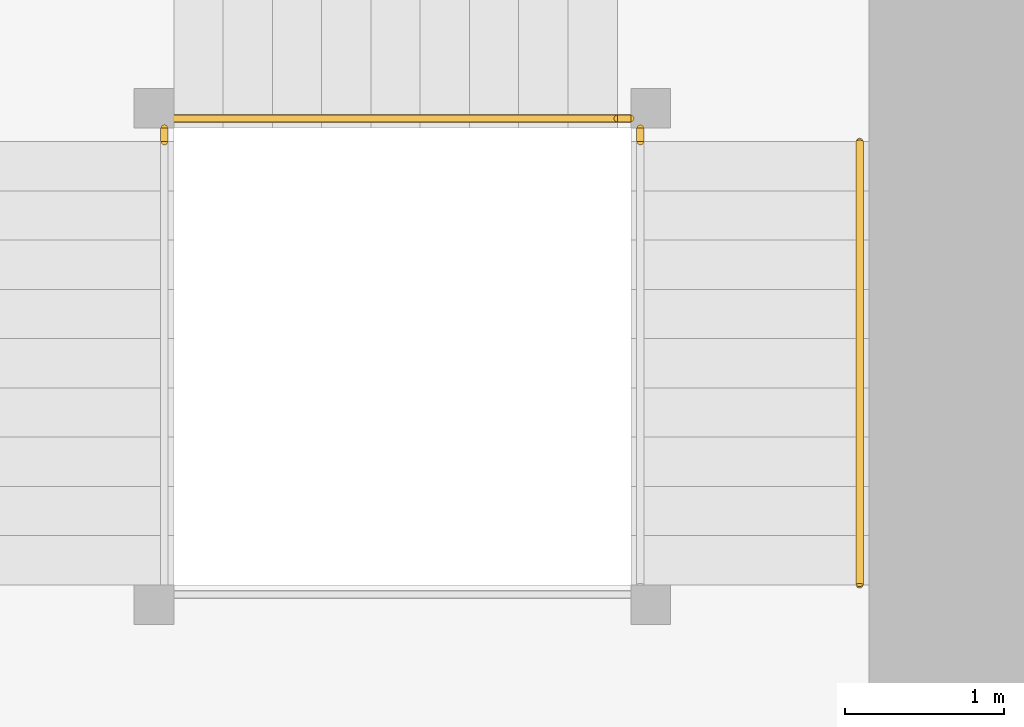
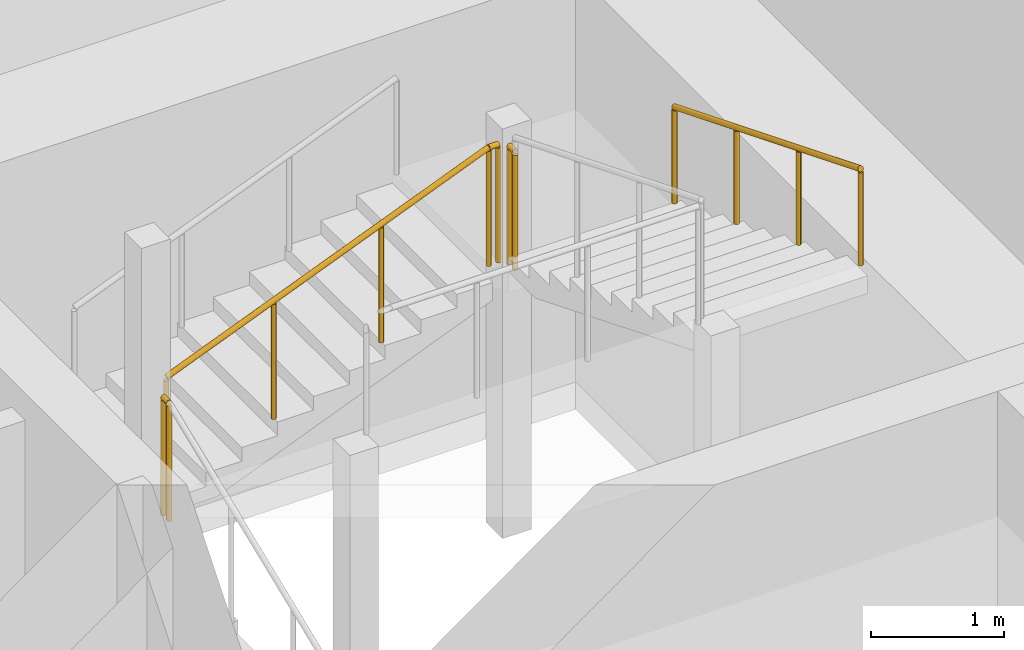
# One storey, part 39 of 40: 5 railings.
"""IFC4 building model written with IfcOpenShell, lengths in metres."""

import ifcopenshell
import ifcopenshell.guid

model = None  # the IFC model being written
_history = None  # IfcOwnerHistory: only IFC2X3 demands one
_inside = {}  # id of a spatial element -> (the spatial element, [elements in it])
_under = {}  # id of a project, library or spatial element -> (it, [spatial elements below it])
_declared = {}  # id of a project -> (the project, [libraries it declares])
_typed = {}  # id of a type object -> (the type object, [elements of that type])
_made_of = {}  # id of a material, layer set ... -> (it, [elements and type objects made of it])


def new_model(schema):
    """Start an empty IFC model of exactly this schema.

    Asked for "IFC4X3", IfcOpenShell would pick the latest addendum, in which some entities
    have other attributes; the version numbers below select the first issue.
    IFC2X3 requires an IfcOwnerHistory on every rooted entity: one is made here for all.
    """
    global model, _history
    if schema == "IFC4X3":
        model = ifcopenshell.file(schema_version=(4, 3, 0, 0))
    else:
        model = ifcopenshell.file(schema=schema)
    _inside.clear()
    _under.clear()
    _declared.clear()
    _typed.clear()
    _made_of.clear()
    _history = None
    if model.schema == "IFC2X3":
        org = make("IfcOrganization", Name="unknown")
        user = make(
            "IfcPersonAndOrganization",
            ThePerson=make("IfcPerson", FamilyName="unknown"),
            TheOrganization=org,
        )
        app = make(
            "IfcApplication",
            ApplicationDeveloper=org,
            Version="unknown",
            ApplicationFullName="unknown",
            ApplicationIdentifier="unknown",
        )
        _history = make(
            "IfcOwnerHistory",
            OwningUser=user,
            OwningApplication=app,
            ChangeAction="ADDED",
            CreationDate=0,
        )
    return model


def make(cls, **values):
    """One entity of the class cls with the attributes given. An attribute that is None is left unset."""
    return model.create_entity(
        cls, **{name: value for name, value in values.items() if value is not None}
    )


def rooted(cls, **values):
    """An entity with a GlobalId (a new one), such as an element, a storey or a relation."""
    return make(cls, GlobalId=ifcopenshell.guid.new(), OwnerHistory=_history, **values)


def si_unit(unit_type, name, prefix=None):
    """IfcSIUnit, for example si_unit("LENGTHUNIT", "METRE", prefix="MILLI")."""
    return make("IfcSIUnit", UnitType=unit_type, Prefix=prefix, Name=name)


def assignment(units):
    """IfcUnitAssignment: the units of a project."""
    return None if units is None else make("IfcUnitAssignment", Units=units)


def point(xyz):
    """IfcCartesianPoint."""
    return None if xyz is None else make("IfcCartesianPoint", Coordinates=xyz)


def direction(xyz):
    """IfcDirection."""
    return None if xyz is None else make("IfcDirection", DirectionRatios=xyz)


def frame(location, z_axis=None, x_axis=None):
    """IfcAxis2Placement3D, a coordinate frame: its origin and axes. An axis left out is left unset."""
    return make(
        "IfcAxis2Placement3D",
        Location=point(location),
        Axis=direction(z_axis),
        RefDirection=direction(x_axis),
    )


def frame_2d(location, x_axis=None):
    """IfcAxis2Placement2D, a coordinate frame in the plane: its origin and x axis."""
    return make(
        "IfcAxis2Placement2D", Location=point(location), RefDirection=direction(x_axis)
    )


def origin():
    """The frame at (0, 0, 0) with its axes left unset."""
    return frame((0.0, 0.0, 0.0))


def origin_2d():
    """The frame at (0, 0) in the plane with its x axis left unset."""
    return frame_2d((0.0, 0.0))


def place(relative_to, where):
    """IfcLocalPlacement: puts the frame where relative to a parent placement (None: the world)."""
    return make(
        "IfcLocalPlacement", PlacementRelTo=relative_to, RelativePlacement=where
    )


def context(
    kind, dimensions, precision=None, world=None, true_north=None, identifier=None
):
    """IfcGeometricRepresentationContext, for example the 3D "Model" context."""
    return make(
        "IfcGeometricRepresentationContext",
        ContextIdentifier=identifier,
        ContextType=kind,
        CoordinateSpaceDimension=dimensions,
        Precision=precision,
        WorldCoordinateSystem=world,
        TrueNorth=true_north,
    )


def subcontext(parent, identifier, kind, view, scale=None):
    """IfcGeometricRepresentationSubContext, for example "Body" below "Model"."""
    return make(
        "IfcGeometricRepresentationSubContext",
        ContextIdentifier=identifier,
        ContextType=kind,
        ParentContext=parent,
        TargetScale=scale,
        TargetView=view,
    )


def project(units=None, contexts=None):
    """IfcProject with its units and contexts."""
    return rooted(
        "IfcProject",
        Name="project",
        RepresentationContexts=contexts,
        UnitsInContext=assignment(units),
    )


def spatial(cls, under=None, at=None, **own):
    """A site, building, storey or space (cls), placed at a placement, below another one or the project."""
    s = rooted(cls, ObjectPlacement=at, **own)
    if under is not None:
        _under.setdefault(under.id(), (under, []))[1].append(s)
    return s


def profile(cls, at=None, kind="AREA", **sizes):
    """A parametric profile (cls). Its sizes go by their IFC names, for example OverallWidth=200.0."""
    return make(cls, ProfileType=kind, Position=at, **sizes)


def circle(**sizes):
    """IfcCircleProfileDef."""
    return profile("IfcCircleProfileDef", **sizes)


def extrude(swept, where, along, depth):
    """IfcExtrudedAreaSolid: the profile swept, set in the frame where, extruded along a direction by depth."""
    return make(
        "IfcExtrudedAreaSolid",
        SweptArea=swept,
        Position=where,
        ExtrudedDirection=direction(along),
        Depth=depth,
    )


def shape(context_of_items, identifier, shape_type, items):
    """IfcShapeRepresentation: the items that make up one representation, for example the "Body"."""
    return make(
        "IfcShapeRepresentation",
        ContextOfItems=context_of_items,
        RepresentationIdentifier=identifier,
        RepresentationType=shape_type,
        Items=items,
    )


def material(Name=None, Category=None):
    """IfcMaterial."""
    return make("IfcMaterial", Name=Name, Category=Category)


def made_of(thing, what):
    """Note that an element or type object is made of a material, layer set ...; save() writes the relation."""
    if what is not None:
        _made_of.setdefault(what.id(), (what, []))[1].append(thing)
    return thing


def type_object(cls, material=None, **own):
    """A type object (cls), such as IfcWallType, which elements share."""
    return made_of(rooted(cls, **own), material)


def element(
    cls,
    number,
    at=None,
    inside=None,
    cuts=None,
    type_object=None,
    material=None,
    context=None,
    identifier="Body",
    shape_type=None,
    held_by="IfcProductDefinitionShape",
    body=None,
    shapes=None,
    **own,
):
    """One element of the class cls, such as IfcWall. Its Tag is "e" and its number.

    at: its placement. inside: the storey or other place that contains it. cuts: it is an
    opening in that element (IfcRelVoidsElement). A single representation is given by context,
    identifier, shape_type and body (its items); several are given by shapes. held_by: the class
    of the entity that holds the representations. save() writes the other relations.
    """
    e = rooted(cls, Tag="e%d" % number, ObjectPlacement=at, **own)
    if body is not None:
        shapes = [shape(context, identifier, shape_type, body)]
    if shapes is not None:
        e.Representation = make(held_by, Representations=shapes)
    if inside is not None:
        _inside.setdefault(inside.id(), (inside, []))[1].append(e)
    if cuts is not None:
        rooted(
            "IfcRelVoidsElement", RelatingBuildingElement=cuts, RelatedOpeningElement=e
        )
    if type_object is not None:
        _typed.setdefault(type_object.id(), (type_object, []))[1].append(e)
    return made_of(e, material)


def aggregate(whole, parts):
    """IfcRelAggregates: a whole, such as a stair, and the parts it consists of."""
    return rooted("IfcRelAggregates", RelatingObject=whole, RelatedObjects=parts)


def save(model, path):
    """Write the relations noted so far, then the file.

    IfcRelAggregates (storeys below a building ...), IfcRelContainedInSpatialStructure (elements
    in a storey), IfcRelDefinesByType, IfcRelAssociatesMaterial and IfcRelDeclares: one each for
    every whole, place, type object, material and project.
    """
    for whole, parts in _under.values():
        aggregate(whole, parts)
    for where, things in _inside.values():
        rooted(
            "IfcRelContainedInSpatialStructure",
            RelatedElements=things,
            RelatingStructure=where,
        )
    for kind, things in _typed.values():
        rooted("IfcRelDefinesByType", RelatedObjects=things, RelatingType=kind)
    for what, things in _made_of.values():
        rooted("IfcRelAssociatesMaterial", RelatedObjects=things, RelatingMaterial=what)
    for by, libraries in _declared.values():
        rooted("IfcRelDeclares", RelatingContext=by, RelatedDefinitions=libraries)
    model.write(path)


model = new_model("IFC4")

# Units and contexts
model_context = context("Model", 3, precision=1e-05, world=origin(), true_north=direction((0.0, 1.0)))
body_context = subcontext(model_context, "Body", "Model", "MODEL_VIEW")
ifc_project = project(units=[si_unit("LENGTHUNIT", "METRE"), si_unit("AREAUNIT", "SQUARE_METRE"), si_unit("VOLUMEUNIT", "CUBIC_METRE"), si_unit("PLANEANGLEUNIT", "RADIAN"), si_unit("MASSUNIT", "GRAM", prefix="KILO")], contexts=[model_context])

# Site, building, storey
site_placement = place(None, origin())
site = spatial("IfcSite", under=ifc_project, at=site_placement, CompositionType="ELEMENT")
building_placement = place(site_placement, origin())
building = spatial("IfcBuilding", under=site, at=building_placement, Name="Rekha Terrace Tower", CompositionType="ELEMENT")
storey_placement = place(building_placement, frame((0.0, 0.0, 95.300048828125)))
storey = spatial("IfcBuildingStorey", under=building, at=storey_placement, Name="L23", CompositionType="ELEMENT", Elevation=95.300048828125)

# Railings
ifc_material_1 = material(Name="Stainless steel balustrade", Category="steel")
railing_type_1 = type_object("IfcRailingType", Name="GR1 1100 stair guard", PredefinedType="GUARDRAIL", material=ifc_material_1)
railing_1_placement = place(storey_placement, frame((45.52490234375, 44.260009765625, 1.375)))
element("IfcRailing", 1, at=railing_1_placement, inside=storey, type_object=railing_type_1, Name="Guard ST2 L23 flight 2", PredefinedType="GUARDRAIL", context=body_context, shape_type="SweptSolid", body=[
    extrude(circle(Radius=0.02392578125, at=origin_2d()), frame((0.0, 0.0, 1.076171875), z_axis=(0.927443287984, 0.0, 0.373963831907), x_axis=(0.0, 1.0, 0.0)), (0.0, 0.0, 1.0), 3.00830078125),
    extrude(circle(Radius=0.02099609375, at=origin_2d()), origin(), (0.0, 0.0, 1.0), 1.052001953125),
    extrude(circle(Radius=0.02099609375, at=origin_2d()), frame((0.929931640625, 0.0, 0.375)), (0.0, 0.0, 1.0), 1.052001953125),
    extrude(circle(Radius=0.02099609375, at=origin_2d()), frame((1.860107421875, 0.0, 0.75)), (0.0, 0.0, 1.0), 1.052001953125),
    extrude(circle(Radius=0.02099609375, at=origin_2d()), frame((2.7900390625, 0.0, 1.125)), (0.0, 0.0, 1.0), 1.052001953125),
])
railing_2_placement = place(storey_placement, frame((45.465087890625, 44.114990234375, 1.25)))
element("IfcRailing", 2, at=railing_2_placement, inside=storey, type_object=railing_type_1, Name="Guard ST2 L23 landing 1", PredefinedType="GUARDRAIL", context=body_context, shape_type="SweptSolid", body=[
    extrude(circle(Radius=0.02392578125, at=origin_2d()), frame((0.0, 0.0, 1.076171875), z_axis=(0.0, 1.0, 0.0), x_axis=(-1.0, 0.0, 0.0)), (0.0, 0.0, 1.0), 0.0849609375),
    extrude(circle(Radius=0.02099609375, at=origin_2d()), origin(), (0.0, 0.0, 1.0), 1.052001953125),
    extrude(circle(Radius=0.02099609375, at=origin_2d()), frame((0.0, 0.0849609375, 0.0)), (0.0, 0.0, 1.0), 1.052001953125),
])
railing_3_placement = place(storey_placement, frame((48.31494140625, 44.260009765625, 2.5)))
element("IfcRailing", 3, at=railing_3_placement, inside=storey, type_object=railing_type_1, Name="Guard ST2 L23 landing 2", PredefinedType="GUARDRAIL", context=body_context, shape_type="SweptSolid", body=[
    extrude(circle(Radius=0.02392578125, at=origin_2d()), frame((0.0, 0.0, 1.076171875), z_axis=(1.0, 0.0, 0.0), x_axis=(0.0, 1.0, 0.0)), (0.0, 0.0, 1.0), 0.0849609375),
    extrude(circle(Radius=0.02099609375, at=origin_2d()), origin(), (0.0, 0.0, 1.0), 1.052001953125),
    extrude(circle(Radius=0.02099609375, at=origin_2d()), frame((0.0849609375, 0.0, 0.0)), (0.0, 0.0, 1.0), 1.052001953125),
])
railing_4_placement = place(storey_placement, frame((48.4599609375, 44.114990234375, 2.5)))
element("IfcRailing", 4, at=railing_4_placement, inside=storey, type_object=railing_type_1, Name="Guard ST2 L23 landing 3", PredefinedType="GUARDRAIL", context=body_context, shape_type="SweptSolid", body=[
    extrude(circle(Radius=0.02392578125, at=origin_2d()), frame((0.0, 0.0, 1.076171875), z_axis=(0.0, 1.0, 0.0), x_axis=(-1.0, 0.0, 0.0)), (0.0, 0.0, 1.0), 0.0849609375),
    extrude(circle(Radius=0.02099609375, at=origin_2d()), origin(), (0.0, 0.0, 1.0), 1.052001953125),
    extrude(circle(Radius=0.02099609375, at=origin_2d()), frame((0.0, 0.0849609375, 0.0)), (0.0, 0.0, 1.0), 1.052001953125),
])
ifc_material_2 = material(Name="Stainless steel tube", Category="steel")
railing_type_2 = type_object("IfcRailingType", Name="HR1 900 stair handrail", PredefinedType="HANDRAIL", material=ifc_material_2)
railing_5_placement = place(storey_placement, frame((49.840087890625, 44.114990234375, 2.625)))
element("IfcRailing", 5, at=railing_5_placement, inside=storey, type_object=railing_type_2, Name="Handrail ST2 L23 flight 3", PredefinedType="HANDRAIL", context=body_context, shape_type="SweptSolid", body=[
    extrude(circle(Radius=0.02392578125, at=origin_2d()), frame((0.0, 0.0, 0.8759765625), z_axis=(0.0, -0.927443287984, 0.373963831907), x_axis=(1.0, 0.0, 0.0)), (0.0, 0.0, 1.0), 3.00830078125),
    extrude(circle(Radius=0.02099609375, at=origin_2d()), origin(), (0.0, 0.0, 1.0), 0.851806640625),
    extrude(circle(Radius=0.02099609375, at=origin_2d()), frame((0.0, -0.929931640625, 0.375)), (0.0, 0.0, 1.0), 0.851806640625),
    extrude(circle(Radius=0.02099609375, at=origin_2d()), frame((0.0, -1.860107421875, 0.75)), (0.0, 0.0, 1.0), 0.851806640625),
    extrude(circle(Radius=0.02099609375, at=origin_2d()), frame((0.0, -2.7900390625, 1.125)), (0.0, 0.0, 1.0), 0.851806640625),
])

save(model, "model.ifc")
